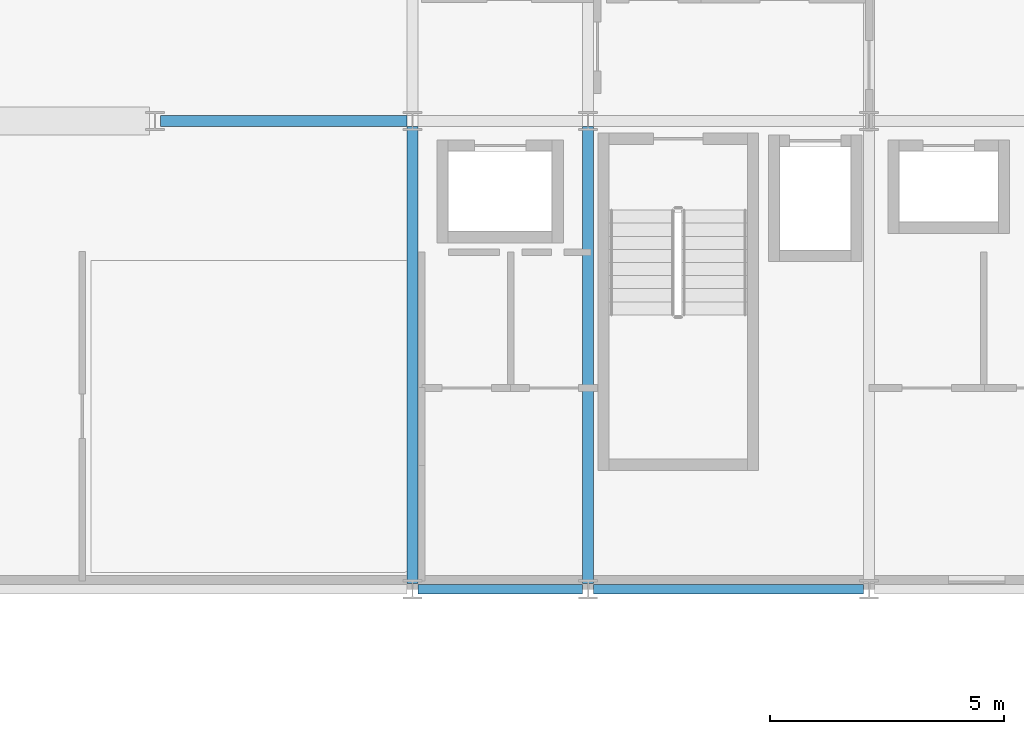
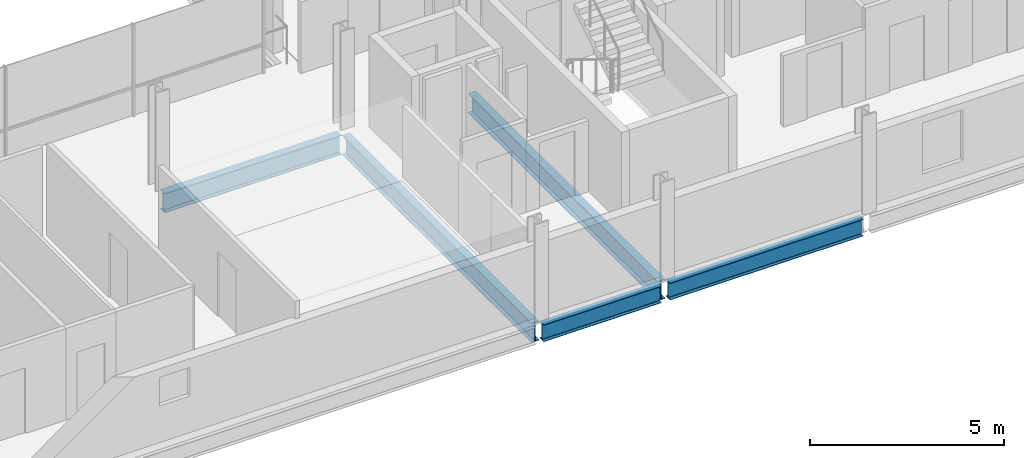
# One storey, part 14 of 41: 5 beams.
"""IFC4 building model written with IfcOpenShell, lengths in metres."""

import ifcopenshell
import ifcopenshell.guid

model = None  # the IFC model being written
_history = None  # IfcOwnerHistory: only IFC2X3 demands one
_inside = {}  # id of a spatial element -> (the spatial element, [elements in it])
_under = {}  # id of a project, library or spatial element -> (it, [spatial elements below it])
_declared = {}  # id of a project -> (the project, [libraries it declares])
_typed = {}  # id of a type object -> (the type object, [elements of that type])
_made_of = {}  # id of a material, layer set ... -> (it, [elements and type objects made of it])


def new_model(schema):
    """Start an empty IFC model of exactly this schema.

    Asked for "IFC4X3", IfcOpenShell would pick the latest addendum, in which some entities
    have other attributes; the version numbers below select the first issue.
    IFC2X3 requires an IfcOwnerHistory on every rooted entity: one is made here for all.
    """
    global model, _history
    if schema == "IFC4X3":
        model = ifcopenshell.file(schema_version=(4, 3, 0, 0))
    else:
        model = ifcopenshell.file(schema=schema)
    _inside.clear()
    _under.clear()
    _declared.clear()
    _typed.clear()
    _made_of.clear()
    _history = None
    if model.schema == "IFC2X3":
        org = make("IfcOrganization", Name="unknown")
        user = make(
            "IfcPersonAndOrganization",
            ThePerson=make("IfcPerson", FamilyName="unknown"),
            TheOrganization=org,
        )
        app = make(
            "IfcApplication",
            ApplicationDeveloper=org,
            Version="unknown",
            ApplicationFullName="unknown",
            ApplicationIdentifier="unknown",
        )
        _history = make(
            "IfcOwnerHistory",
            OwningUser=user,
            OwningApplication=app,
            ChangeAction="ADDED",
            CreationDate=0,
        )
    return model


def make(cls, **values):
    """One entity of the class cls with the attributes given. An attribute that is None is left unset."""
    return model.create_entity(
        cls, **{name: value for name, value in values.items() if value is not None}
    )


def rooted(cls, **values):
    """An entity with a GlobalId (a new one), such as an element, a storey or a relation."""
    return make(cls, GlobalId=ifcopenshell.guid.new(), OwnerHistory=_history, **values)


def si_unit(unit_type, name, prefix=None):
    """IfcSIUnit, for example si_unit("LENGTHUNIT", "METRE", prefix="MILLI")."""
    return make("IfcSIUnit", UnitType=unit_type, Prefix=prefix, Name=name)


def assignment(units):
    """IfcUnitAssignment: the units of a project."""
    return None if units is None else make("IfcUnitAssignment", Units=units)


def point(xyz):
    """IfcCartesianPoint."""
    return None if xyz is None else make("IfcCartesianPoint", Coordinates=xyz)


def direction(xyz):
    """IfcDirection."""
    return None if xyz is None else make("IfcDirection", DirectionRatios=xyz)


def frame(location, z_axis=None, x_axis=None):
    """IfcAxis2Placement3D, a coordinate frame: its origin and axes. An axis left out is left unset."""
    return make(
        "IfcAxis2Placement3D",
        Location=point(location),
        Axis=direction(z_axis),
        RefDirection=direction(x_axis),
    )


def frame_2d(location, x_axis=None):
    """IfcAxis2Placement2D, a coordinate frame in the plane: its origin and x axis."""
    return make(
        "IfcAxis2Placement2D", Location=point(location), RefDirection=direction(x_axis)
    )


def origin():
    """The frame at (0, 0, 0) with its axes left unset."""
    return frame((0.0, 0.0, 0.0))


def origin_2d():
    """The frame at (0, 0) in the plane with its x axis left unset."""
    return frame_2d((0.0, 0.0))


def place(relative_to, where):
    """IfcLocalPlacement: puts the frame where relative to a parent placement (None: the world)."""
    return make(
        "IfcLocalPlacement", PlacementRelTo=relative_to, RelativePlacement=where
    )


def context(
    kind, dimensions, precision=None, world=None, true_north=None, identifier=None
):
    """IfcGeometricRepresentationContext, for example the 3D "Model" context."""
    return make(
        "IfcGeometricRepresentationContext",
        ContextIdentifier=identifier,
        ContextType=kind,
        CoordinateSpaceDimension=dimensions,
        Precision=precision,
        WorldCoordinateSystem=world,
        TrueNorth=true_north,
    )


def subcontext(parent, identifier, kind, view, scale=None):
    """IfcGeometricRepresentationSubContext, for example "Body" below "Model"."""
    return make(
        "IfcGeometricRepresentationSubContext",
        ContextIdentifier=identifier,
        ContextType=kind,
        ParentContext=parent,
        TargetScale=scale,
        TargetView=view,
    )


def project(units=None, contexts=None):
    """IfcProject with its units and contexts."""
    return rooted(
        "IfcProject",
        Name="project",
        RepresentationContexts=contexts,
        UnitsInContext=assignment(units),
    )


def spatial(cls, under=None, at=None, **own):
    """A site, building, storey or space (cls), placed at a placement, below another one or the project."""
    s = rooted(cls, ObjectPlacement=at, **own)
    if under is not None:
        _under.setdefault(under.id(), (under, []))[1].append(s)
    return s


def profile(cls, at=None, kind="AREA", **sizes):
    """A parametric profile (cls). Its sizes go by their IFC names, for example OverallWidth=200.0."""
    return make(cls, ProfileType=kind, Position=at, **sizes)


def i_section(**sizes):
    """IfcIShapeProfileDef."""
    return profile("IfcIShapeProfileDef", **sizes)


def extrude(swept, where, along, depth):
    """IfcExtrudedAreaSolid: the profile swept, set in the frame where, extruded along a direction by depth."""
    return make(
        "IfcExtrudedAreaSolid",
        SweptArea=swept,
        Position=where,
        ExtrudedDirection=direction(along),
        Depth=depth,
    )


def shape(context_of_items, identifier, shape_type, items):
    """IfcShapeRepresentation: the items that make up one representation, for example the "Body"."""
    return make(
        "IfcShapeRepresentation",
        ContextOfItems=context_of_items,
        RepresentationIdentifier=identifier,
        RepresentationType=shape_type,
        Items=items,
    )


def material(Name=None, Category=None):
    """IfcMaterial."""
    return make("IfcMaterial", Name=Name, Category=Category)


def material_profile(
    of_material, cross_section, Name=None, Category=None, Priority=None
):
    """IfcMaterialProfile: a cross section and its material."""
    return make(
        "IfcMaterialProfile",
        Name=Name,
        Material=of_material,
        Profile=cross_section,
        Priority=Priority,
        Category=Category,
    )


def profile_set(profiles, Name=None, composite=None):
    """IfcMaterialProfileSet."""
    return make(
        "IfcMaterialProfileSet",
        Name=Name,
        MaterialProfiles=profiles,
        CompositeProfile=composite,
    )


def made_of(thing, what):
    """Note that an element or type object is made of a material, layer set ...; save() writes the relation."""
    if what is not None:
        _made_of.setdefault(what.id(), (what, []))[1].append(thing)
    return thing


def type_object(cls, material=None, **own):
    """A type object (cls), such as IfcWallType, which elements share."""
    return made_of(rooted(cls, **own), material)


def element(
    cls,
    number,
    at=None,
    inside=None,
    cuts=None,
    type_object=None,
    material=None,
    context=None,
    identifier="Body",
    shape_type=None,
    held_by="IfcProductDefinitionShape",
    body=None,
    shapes=None,
    **own,
):
    """One element of the class cls, such as IfcWall. Its Tag is "e" and its number.

    at: its placement. inside: the storey or other place that contains it. cuts: it is an
    opening in that element (IfcRelVoidsElement). A single representation is given by context,
    identifier, shape_type and body (its items); several are given by shapes. held_by: the class
    of the entity that holds the representations. save() writes the other relations.
    """
    e = rooted(cls, Tag="e%d" % number, ObjectPlacement=at, **own)
    if body is not None:
        shapes = [shape(context, identifier, shape_type, body)]
    if shapes is not None:
        e.Representation = make(held_by, Representations=shapes)
    if inside is not None:
        _inside.setdefault(inside.id(), (inside, []))[1].append(e)
    if cuts is not None:
        rooted(
            "IfcRelVoidsElement", RelatingBuildingElement=cuts, RelatedOpeningElement=e
        )
    if type_object is not None:
        _typed.setdefault(type_object.id(), (type_object, []))[1].append(e)
    return made_of(e, material)


def aggregate(whole, parts):
    """IfcRelAggregates: a whole, such as a stair, and the parts it consists of."""
    return rooted("IfcRelAggregates", RelatingObject=whole, RelatedObjects=parts)


def save(model, path):
    """Write the relations noted so far, then the file.

    IfcRelAggregates (storeys below a building ...), IfcRelContainedInSpatialStructure (elements
    in a storey), IfcRelDefinesByType, IfcRelAssociatesMaterial and IfcRelDeclares: one each for
    every whole, place, type object, material and project.
    """
    for whole, parts in _under.values():
        aggregate(whole, parts)
    for where, things in _inside.values():
        rooted(
            "IfcRelContainedInSpatialStructure",
            RelatedElements=things,
            RelatingStructure=where,
        )
    for kind, things in _typed.values():
        rooted("IfcRelDefinesByType", RelatedObjects=things, RelatingType=kind)
    for what, things in _made_of.values():
        rooted("IfcRelAssociatesMaterial", RelatedObjects=things, RelatingMaterial=what)
    for by, libraries in _declared.values():
        rooted("IfcRelDeclares", RelatingContext=by, RelatedDefinitions=libraries)
    model.write(path)


model = new_model("IFC4")

# Units and contexts
model_context = context("Model", 3, precision=1e-05, world=origin(), true_north=direction((0.0, 1.0)))
body_context = subcontext(model_context, "Body", "Model", "MODEL_VIEW")
ifc_project = project(units=[si_unit("LENGTHUNIT", "METRE"), si_unit("AREAUNIT", "SQUARE_METRE"), si_unit("VOLUMEUNIT", "CUBIC_METRE"), si_unit("PLANEANGLEUNIT", "RADIAN"), si_unit("MASSUNIT", "GRAM", prefix="KILO")], contexts=[model_context])

# Site, building, storey
site_placement = place(None, origin())
site = spatial("IfcSite", under=ifc_project, at=site_placement, CompositionType="ELEMENT")
building_placement = place(site_placement, origin())
building = spatial("IfcBuilding", under=site, at=building_placement, Name="Brevholm Reach", CompositionType="ELEMENT")
storey_placement = place(building_placement, frame((0.0, 0.0, 157.300048828125)))
storey = spatial("IfcBuildingStorey", under=building, at=storey_placement, Name="L47", CompositionType="ELEMENT", Elevation=157.300048828125)

# Beams
ifc_material_1 = material(Name="Structural Steel S355J2", Category="steel")
ifc_material_profile_1 = material_profile(ifc_material_1, i_section(OverallWidth=0.209228515625, OverallDepth=0.533203125, WebThickness=0.010009765625, FlangeThickness=0.015625, FilletRadius=0.0126953125, at=origin_2d()), Name="UKB 533x210x92")
ifc_profile_set_1 = profile_set([ifc_material_profile_1], Name="Structural Steel S355J2")
beam_type_1 = type_object("IfcBeamType", Name="BM-SP533", PredefinedType="SPANDREL", material=ifc_profile_set_1)
beam_1_placement = place(storey_placement, frame((38.3701171875, 0.0, -0.486572265625), z_axis=(1.0, 0.0, 0.0), x_axis=(0.0, 1.0, 0.0)))
element("IfcBeam", 1, at=beam_1_placement, inside=storey, type_object=beam_type_1, Name="L47 SP-02 Framing Beam", PredefinedType="SPANDREL", context=body_context, shape_type="SweptSolid", body=[
    extrude(i_section(OverallWidth=0.209228515625, OverallDepth=0.533203125, WebThickness=0.010009765625, FlangeThickness=0.015625, FilletRadius=0.0126953125, at=origin_2d()), origin(), (0.0, 0.0, 1.0), 3.509765625),
])
beam_2_placement = place(storey_placement, frame((42.1201171875, 0.0, -0.486572265625), z_axis=(1.0, 0.0, 0.0), x_axis=(0.0, 1.0, 0.0)))
element("IfcBeam", 2, at=beam_2_placement, inside=storey, type_object=beam_type_1, Name="L47 SP-02 Framing Beam", PredefinedType="SPANDREL", context=body_context, shape_type="SweptSolid", body=[
    extrude(i_section(OverallWidth=0.209228515625, OverallDepth=0.533203125, WebThickness=0.010009765625, FlangeThickness=0.015625, FilletRadius=0.0126953125, at=origin_2d()), origin(), (0.0, 0.0, 1.0), 5.759765625),
])
ifc_material_2 = material(Name="Structural Steel S355J2", Category="steel")
ifc_material_profile_2 = material_profile(ifc_material_2, i_section(OverallWidth=0.22900390625, OverallDepth=0.6123046875, WebThickness=0.011962890625, FlangeThickness=0.01953125, FilletRadius=0.0126953125, at=origin_2d()), Name="UKB 610x229x125")
ifc_profile_set_2 = profile_set([ifc_material_profile_2], Name="Structural Steel S355J2")
beam_type_2 = type_object("IfcBeamType", Name="BM-SP610", PredefinedType="SPANDREL", material=ifc_profile_set_2)
beam_3_placement = place(storey_placement, frame((32.8701171875, 10.0, -0.526123046875), z_axis=(1.0, 0.0, 0.0), x_axis=(0.0, 1.0, 0.0)))
element("IfcBeam", 3, at=beam_3_placement, inside=storey, type_object=beam_type_2, Name="L47 SP-01 Framing Beam", PredefinedType="SPANDREL", context=body_context, shape_type="SweptSolid", body=[
    extrude(i_section(OverallWidth=0.22900390625, OverallDepth=0.6123046875, WebThickness=0.011962890625, FlangeThickness=0.01953125, FilletRadius=0.0126953125, at=origin_2d()), origin(), (0.0, 0.0, 1.0), 5.259765625),
])
for number, where, z_axis, x_axis, name in (
    (4, (38.25, 0.1201171875, -0.526123046875), (0.0, 1.0, 0.0), (-1.0, 0.0, 0.0), "L47 SP-01 Framing Beam"),
    (5, (42.0, 0.1201171875, -0.526123046875), (0.0, 1.0, 0.0), (-1.0, 0.0, 0.0), "L47 SP-01 Framing Beam"),
):
    element("IfcBeam", number, at=place(storey_placement, frame(where, z_axis=z_axis, x_axis=x_axis)), inside=storey, type_object=beam_type_2, Name=name, PredefinedType="SPANDREL", context=body_context, shape_type="SweptSolid", body=[
        extrude(i_section(OverallWidth=0.22900390625, OverallDepth=0.6123046875, WebThickness=0.011962890625, FlangeThickness=0.01953125, FilletRadius=0.0126953125, at=origin_2d()), origin(), (0.0, 0.0, 1.0), 9.759765625),
    ])

save(model, "model.ifc")
